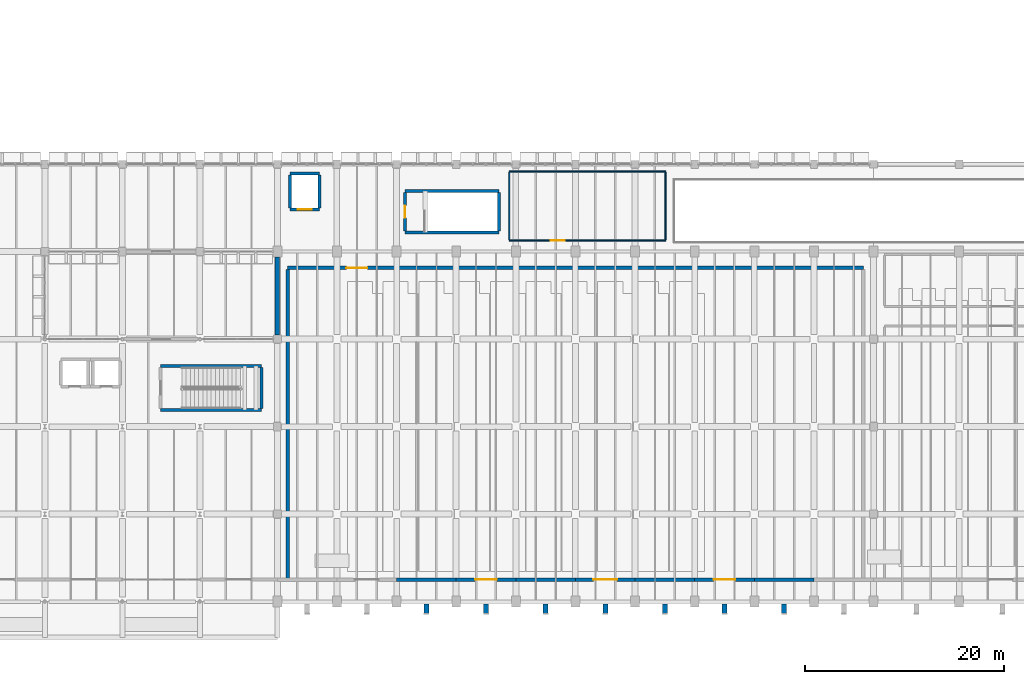
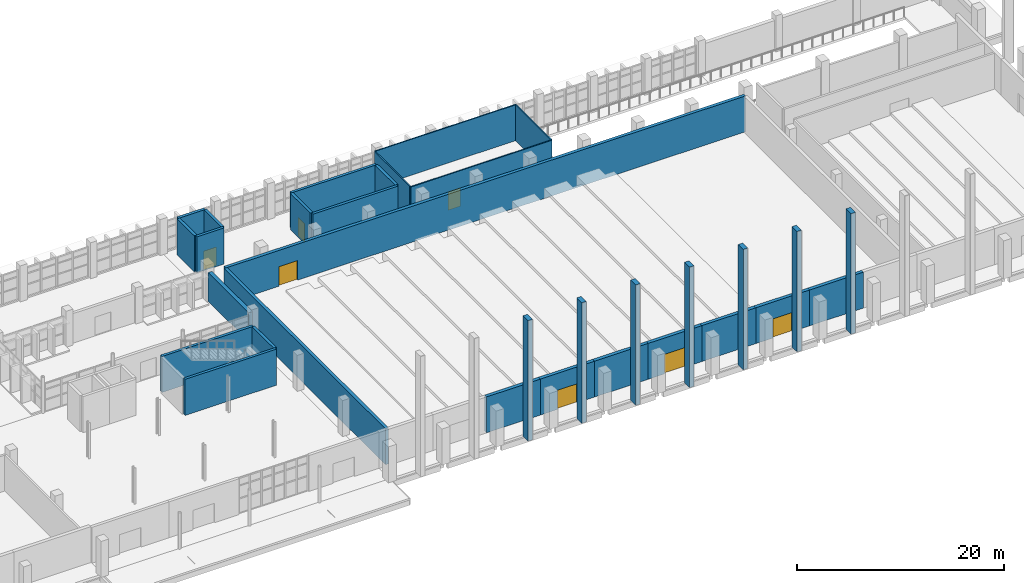
# One storey, part 60 of 76: 32 walls, 7 doors, 7 openings.
"""IFC4 building model written with IfcOpenShell, lengths in metres."""

from ifc_helpers import new_model, si_unit, direction, frame, frame_2d, origin, place, context, subcontext, project, spatial, rectangle, extrude, material, layer, layer_set, type_object, element, fill, save


model = new_model("IFC4")

# Units and contexts
model_context = context("Model", 3, precision=1e-05, world=origin(), true_north=direction((0.0, 1.0)))
body_context = subcontext(model_context, "Body", "Model", "MODEL_VIEW")
ifc_project = project(units=[si_unit("LENGTHUNIT", "METRE"), si_unit("AREAUNIT", "SQUARE_METRE"), si_unit("VOLUMEUNIT", "CUBIC_METRE"), si_unit("PLANEANGLEUNIT", "RADIAN"), si_unit("MASSUNIT", "GRAM", prefix="KILO")], contexts=[model_context])

# Site, building, storey
site_placement = place(None, origin())
site = spatial("IfcSite", under=ifc_project, at=site_placement, CompositionType="ELEMENT")
building_placement = place(site_placement, origin())
building = spatial("IfcBuilding", under=site, at=building_placement, Name="Varnakota Cinema and Media Centre", CompositionType="ELEMENT")
storey_placement = place(building_placement, origin())
storey = spatial("IfcBuildingStorey", under=building, at=storey_placement, Name="L00", CompositionType="ELEMENT", Elevation=0.0)

# Walls
ifc_material_1 = material(Name="Deccan grey granite ashlar", Category="masonry")
ifc_layer_1 = layer(ifc_material_1, 0.5)
ifc_layer_set_1 = layer_set([ifc_layer_1], Name="Deccan grey granite ashlar")
wall_type_1 = type_object("IfcWallType", Name="W-BUTTRESS-500", PredefinedType="SOLIDWALL", material=ifc_layer_set_1)
for number, where, z_axis, x_axis, name in (
    (1, (90.0, -0.22998046875, 0.0), (0.0, 0.0, 1.0), (0.0, -1.0, 0.0), "Hall south monumental Brutalist buttress fin 3"),
    (2, (96.0, -0.22998046875, 0.0), (0.0, 0.0, 1.0), (0.0, -1.0, 0.0), "Hall south monumental Brutalist buttress fin 4"),
    (3, (102.0, -0.22998046875, 0.0), (0.0, 0.0, 1.0), (0.0, -1.0, 0.0), "Hall south monumental Brutalist buttress fin 5"),
    (4, (108.0, -0.22998046875, 0.0), (0.0, 0.0, 1.0), (0.0, -1.0, 0.0), "Hall south monumental Brutalist buttress fin 6"),
    (5, (114.0, -0.22998046875, 0.0), (0.0, 0.0, 1.0), (0.0, -1.0, 0.0), "Hall south monumental Brutalist buttress fin 7"),
    (6, (120.0, -0.22998046875, 0.0), (0.0, 0.0, 1.0), (0.0, -1.0, 0.0), "Hall south monumental Brutalist buttress fin 8"),
    (7, (126.0, -0.22998046875, 0.0), (0.0, 0.0, 1.0), (0.0, -1.0, 0.0), "Hall south monumental Brutalist buttress fin 9"),
):
    element("IfcWall", number, at=place(storey_placement, frame(where, z_axis=z_axis, x_axis=x_axis)), inside=storey, type_object=wall_type_1, Name=name, PredefinedType="SOLIDWALL", context=body_context, shape_type="SweptSolid", body=[
        extrude(rectangle(XDim=0.969970703125, YDim=0.5, at=frame_2d((0.48486328125, 0.0))), origin(), (0.0, 0.0, 1.0), 14.199951171875),
    ])
ifc_material_2 = material(Name="Concrete M40", Category="concrete")
ifc_layer_2 = layer(ifc_material_2, 0.300048828125)
ifc_layer_set_2 = layer_set([ifc_layer_2], Name="Concrete M40")
wall_type_2 = type_object("IfcWallType", Name="W-CORE-300", PredefinedType="SHEAR", material=ifc_layer_set_2)
for number, where, z_axis, x_axis, name in (
    (8, (73.429931640625, 19.25, 0.0), (0.0, 0.0, 1.0), (-1.0, 0.0, 0.0), "L00 CWALL-ST-04-L00 S wall"),
    (9, (63.25, 23.699951171875, 0.0), (0.0, 0.0, 1.0), (1.0, 0.0, 0.0), "L00 CWALL-ST-04-L00 N wall"),
):
    element("IfcWall", number, at=place(storey_placement, frame(where, z_axis=z_axis, x_axis=x_axis)), inside=storey, type_object=wall_type_2, Name=name, PredefinedType="SHEAR", context=body_context, shape_type="SweptSolid", body=[
        extrude(rectangle(XDim=10.179931640625, YDim=0.300048828125, at=frame_2d((5.08984375, 0.0))), origin(), (0.0, 0.0, 1.0), 4.25),
    ])
wall_1_placement = place(storey_placement, frame((73.429931640625, 23.550048828125, 0.0), z_axis=(0.0, 0.0, 1.0), x_axis=(0.0, -1.0, 0.0)))
element("IfcWall", 10, at=wall_1_placement, inside=storey, type_object=wall_type_2, Name="L00 CWALL-ST-04-L00 E wall", PredefinedType="SHEAR", context=body_context, shape_type="SweptSolid", body=[
    extrude(rectangle(XDim=4.150146484375, YDim=0.300048828125, at=frame_2d((2.0751953125, 0.0))), origin(), (0.0, 0.0, 1.0), 4.25),
])
wall_2_placement = place(storey_placement, frame((97.31005859375, 37.14990234375, 0.0), z_axis=(0.0, 0.0, 1.0), x_axis=(-1.0, 0.0, 0.0)))
element("IfcWall", 11, at=wall_2_placement, inside=storey, type_object=wall_type_2, Name="L00 CWALL-ST-B2-L00 S wall", PredefinedType="SHEAR", context=body_context, shape_type="SweptSolid", body=[
    extrude(rectangle(XDim=9.4599609375, YDim=0.300048828125, at=frame_2d((4.72998046875, 0.0))), origin(), (0.0, 0.0, 1.0), 4.25),
])

# Wall, opening, door
wall_3_placement = place(storey_placement, frame((87.85009765625, 37.300048828125, 0.0), z_axis=(0.0, 0.0, 1.0), x_axis=(0.0, 1.0, 0.0)))
wall_3 = element("IfcWall", 12, at=wall_3_placement, inside=storey, type_object=wall_type_2, Name="L00 CWALL-ST-B2-L00 W wall", PredefinedType="SHEAR", context=body_context, shape_type="SweptSolid", body=[
    extrude(rectangle(XDim=3.849853515625, YDim=0.300048828125, at=frame_2d((1.9248046875, 0.0))), origin(), (0.0, 0.0, 1.0), 4.25),
])
opening_1_placement = place(wall_3_placement, frame((1.300048828125, 0.0, 0.0)))
opening_1 = element("IfcOpeningElement", 13, at=opening_1_placement, cuts=wall_3, Name="Opening SD-B2", PredefinedType="OPENING", context=body_context, shape_type="SweptSolid", body=[
    extrude(rectangle(XDim=1.25, YDim=2.14990234375, at=frame_2d((0.625, 1.074951171875))), frame((0.0, 0.14990234375, 0.0), z_axis=(0.0, -1.0, 0.0), x_axis=(1.0, 0.0, 0.0)), (0.0, 0.0, 1.0), 0.300048828125),
])
ifc_material_3 = material(Name="Thermally broken anodised aluminium AW-6063", Category="aluminium")
door_type_1 = type_object("IfcDoorType", Name="DR-STAIR-1250x2150", OperationType="NOTDEFINED", PredefinedType="DOOR", material=ifc_material_3)
door_1_placement = place(opening_1_placement, origin())
door_1 = element("IfcDoor", 14, at=door_1_placement, inside=storey, type_object=door_type_1, Name="L00 door SD-B2", OperationType="SINGLE_SWING_LEFT", OverallHeight=2.14990234375, OverallWidth=1.25, PredefinedType="DOOR", context=body_context, shape_type="SweptSolid", body=[
    extrude(rectangle(XDim=1.25, YDim=2.14990234375, at=frame_2d((0.625, 1.074951171875))), frame((0.0, 0.02490234375, 0.0), z_axis=(0.0, -1.0, 0.0), x_axis=(1.0, 0.0, 0.0)), (0.0, 0.0, 1.0), 0.050048828125),
])
fill(opening_1, door_1)

# Walls
wall_4_placement = place(storey_placement, frame((87.85009765625, 41.300048828125, 0.0), z_axis=(0.0, 0.0, 1.0), x_axis=(1.0, 0.0, 0.0)))
element("IfcWall", 15, at=wall_4_placement, inside=storey, type_object=wall_type_2, Name="L00 CWALL-ST-B2-L00 N wall", PredefinedType="SHEAR", context=body_context, shape_type="SweptSolid", body=[
    extrude(rectangle(XDim=9.4599609375, YDim=0.300048828125, at=frame_2d((4.72998046875, 0.0))), origin(), (0.0, 0.0, 1.0), 4.25),
])
wall_5_placement = place(storey_placement, frame((97.31005859375, 41.14990234375, 0.0), z_axis=(0.0, 0.0, 1.0), x_axis=(0.0, -1.0, 0.0)))
element("IfcWall", 16, at=wall_5_placement, inside=storey, type_object=wall_type_2, Name="L00 CWALL-ST-B2-L00 E wall", PredefinedType="SHEAR", context=body_context, shape_type="SweptSolid", body=[
    extrude(rectangle(XDim=3.849853515625, YDim=0.300048828125, at=frame_2d((1.9248046875, 0.0))), origin(), (0.0, 0.0, 1.0), 4.25),
])

# Wall, opening, door
wall_6_placement = place(storey_placement, frame((79.25, 39.449951171875, 0.0), z_axis=(0.0, 0.0, 1.0), x_axis=(-1.0, 0.0, 0.0)))
wall_6 = element("IfcWall", 17, at=wall_6_placement, inside=storey, type_object=wall_type_2, Name="L00 LSHAFT-LF-08-L00 S wall", PredefinedType="SHEAR", context=body_context, shape_type="SweptSolid", body=[
    extrude(rectangle(XDim=3.0, YDim=0.300048828125, at=frame_2d((1.5, 0.0))), origin(), (0.0, 0.0, 1.0), 4.25),
])
opening_2_placement = place(wall_6_placement, frame((0.800048828125, 0.0, 0.0)))
opening_2 = element("IfcOpeningElement", 18, at=opening_2_placement, cuts=wall_6, Name="Opening LD-08", PredefinedType="OPENING", context=body_context, shape_type="SweptSolid", body=[
    extrude(rectangle(XDim=1.39990234375, YDim=2.199951171875, at=frame_2d((0.699951171875, 1.10009765625))), frame((0.0, 0.14990234375, 0.0), z_axis=(0.0, -1.0, 0.0), x_axis=(1.0, 0.0, 0.0)), (0.0, 0.0, 1.0), 0.300048828125),
])
ifc_material_4 = material(Name="Thermally broken anodised aluminium AW-6063", Category="aluminium")
door_type_2 = type_object("IfcDoorType", Name="DR-LIFT-1400x2200", OperationType="DOUBLE_DOOR_SLIDING", PredefinedType="DOOR", material=ifc_material_4)
door_2_placement = place(opening_2_placement, origin())
door_2 = element("IfcDoor", 19, at=door_2_placement, inside=storey, type_object=door_type_2, Name="L00 door LD-08", OperationType="DOUBLE_DOOR_SLIDING", OverallHeight=2.199951171875, OverallWidth=1.39990234375, PredefinedType="DOOR", context=body_context, shape_type="SweptSolid", body=[
    extrude(rectangle(XDim=1.39990234375, YDim=2.199951171875, at=frame_2d((0.699951171875, 1.10009765625))), frame((0.0, 0.02490234375, 0.0), z_axis=(0.0, -1.0, 0.0), x_axis=(1.0, 0.0, 0.0)), (0.0, 0.0, 1.0), 0.050048828125),
])
fill(opening_2, door_2)

# Walls
wall_7_placement = place(storey_placement, frame((76.25, 39.60009765625, 0.0), z_axis=(0.0, 0.0, 1.0), x_axis=(0.0, 1.0, 0.0)))
element("IfcWall", 20, at=wall_7_placement, inside=storey, type_object=wall_type_2, Name="L00 LSHAFT-LF-08-L00 W wall", PredefinedType="SHEAR", context=body_context, shape_type="SweptSolid", body=[
    extrude(rectangle(XDim=3.2998046875, YDim=0.300048828125, at=frame_2d((1.64990234375, 0.0))), origin(), (0.0, 0.0, 1.0), 4.25),
])
wall_8_placement = place(storey_placement, frame((76.25, 43.050048828125, 0.0), z_axis=(0.0, 0.0, 1.0), x_axis=(1.0, 0.0, 0.0)))
element("IfcWall", 21, at=wall_8_placement, inside=storey, type_object=wall_type_2, Name="L00 LSHAFT-LF-08-L00 N wall", PredefinedType="SHEAR", context=body_context, shape_type="SweptSolid", body=[
    extrude(rectangle(XDim=3.0, YDim=0.300048828125, at=frame_2d((1.5, 0.0))), origin(), (0.0, 0.0, 1.0), 4.25),
])
wall_9_placement = place(storey_placement, frame((79.25, 42.89990234375, 0.0), z_axis=(0.0, 0.0, 1.0), x_axis=(0.0, -1.0, 0.0)))
element("IfcWall", 22, at=wall_9_placement, inside=storey, type_object=wall_type_2, Name="L00 LSHAFT-LF-08-L00 E wall", PredefinedType="SHEAR", context=body_context, shape_type="SweptSolid", body=[
    extrude(rectangle(XDim=3.2998046875, YDim=0.300048828125, at=frame_2d((1.64990234375, 0.0))), origin(), (0.0, 0.0, 1.0), 4.25),
])
ifc_material_5 = material(Name="Deccan grey granite ashlar", Category="masonry")
ifc_layer_3 = layer(ifc_material_5, 0.3798828125)
ifc_layer_set_3 = layer_set([ifc_layer_3], Name="Deccan grey granite ashlar")
wall_type_3 = type_object("IfcWallType", Name="W-EXT-GRAN-380", PredefinedType="SOLIDWALL", material=ifc_layer_set_3)
wall_10_placement = place(storey_placement, frame((129.0, 2.199951171875, 0.0), z_axis=(0.0, 0.0, 1.0), x_axis=(-1.0, 0.0, 0.0)))
element("IfcWall", 23, at=wall_10_placement, inside=storey, type_object=wall_type_3, Name="L00 exterior wall V1-S-2", PredefinedType="SOLIDWALL", context=body_context, shape_type="SweptSolid", body=[
    extrude(rectangle(XDim=6.0, YDim=0.3798828125, at=frame_2d((3.0, 0.0))), origin(), (0.0, 0.0, 1.0), 4.235107421875),
])

# Wall, opening, door
wall_11_placement = place(storey_placement, frame((123.0, 2.199951171875, 0.0), z_axis=(0.0, 0.0, 1.0), x_axis=(-1.0, 0.0, 0.0)))
wall_11 = element("IfcWall", 24, at=wall_11_placement, inside=storey, type_object=wall_type_3, Name="L00 exterior wall V1-S-3", PredefinedType="SOLIDWALL", context=body_context, shape_type="SweptSolid", body=[
    extrude(rectangle(XDim=6.0, YDim=0.3798828125, at=frame_2d((3.0, 0.0))), origin(), (0.0, 0.0, 1.0), 4.235107421875),
])
opening_3_placement = place(wall_11_placement, frame((1.89990234375, 0.0, 0.0)))
opening_3 = element("IfcOpeningElement", 25, at=opening_3_placement, cuts=wall_11, Name="Opening ED-06", PredefinedType="OPENING", context=body_context, shape_type="SweptSolid", body=[
    extrude(rectangle(XDim=2.199951171875, YDim=2.25, at=frame_2d((1.10009765625, 1.125))), frame((0.0, 0.18994140625, 0.0), z_axis=(0.0, -1.0, 0.0), x_axis=(1.0, 0.0, 0.0)), (0.0, 0.0, 1.0), 0.3798828125),
])
ifc_material_6 = material(Name="Anodised golden-bronze aluminium AW-6063", Category="aluminium")
door_type_3 = type_object("IfcDoorType", Name="DR-EXIT-2200x2250", OperationType="DOUBLE_DOOR_SINGLE_SWING", PredefinedType="DOOR", material=ifc_material_6)
door_3_placement = place(opening_3_placement, origin())
door_3 = element("IfcDoor", 26, at=door_3_placement, inside=storey, type_object=door_type_3, Name="L00 door ED-06", OperationType="DOUBLE_DOOR_SINGLE_SWING", OverallHeight=2.25, OverallWidth=2.199951171875, PredefinedType="DOOR", context=body_context, shape_type="SweptSolid", body=[
    extrude(rectangle(XDim=2.199951171875, YDim=2.25, at=frame_2d((1.10009765625, 1.125))), frame((0.0, 0.02490234375, 0.0), z_axis=(0.0, -1.0, 0.0), x_axis=(1.0, 0.0, 0.0)), (0.0, 0.0, 1.0), 0.050048828125),
])
fill(opening_3, door_3)

# Wall
wall_12_placement = place(storey_placement, frame((117.0, 2.199951171875, 0.0), z_axis=(0.0, 0.0, 1.0), x_axis=(-1.0, 0.0, 0.0)))
element("IfcWall", 27, at=wall_12_placement, inside=storey, type_object=wall_type_3, Name="L00 exterior wall V1-S-4", PredefinedType="SOLIDWALL", context=body_context, shape_type="SweptSolid", body=[
    extrude(rectangle(XDim=6.0, YDim=0.3798828125, at=frame_2d((3.0, 0.0))), origin(), (0.0, 0.0, 1.0), 4.235107421875),
])

# Wall, opening, door
wall_13_placement = place(storey_placement, frame((111.0, 2.199951171875, 0.0), z_axis=(0.0, 0.0, 1.0), x_axis=(-1.0, 0.0, 0.0)))
wall_13 = element("IfcWall", 28, at=wall_13_placement, inside=storey, type_object=wall_type_3, Name="L00 exterior wall V1-S-5", PredefinedType="SOLIDWALL", context=body_context, shape_type="SweptSolid", body=[
    extrude(rectangle(XDim=6.0, YDim=0.3798828125, at=frame_2d((3.0, 0.0))), origin(), (0.0, 0.0, 1.0), 4.235107421875),
])
opening_4_placement = place(wall_13_placement, frame((1.800048828125, 0.0, 0.0)))
opening_4 = element("IfcOpeningElement", 29, at=opening_4_placement, cuts=wall_13, Name="Opening ED-14", PredefinedType="OPENING", context=body_context, shape_type="SweptSolid", body=[
    extrude(rectangle(XDim=2.39990234375, YDim=2.300048828125, at=frame_2d((1.199951171875, 1.14990234375))), frame((0.0, 0.18994140625, 0.0), z_axis=(0.0, -1.0, 0.0), x_axis=(1.0, 0.0, 0.0)), (0.0, 0.0, 1.0), 0.3798828125),
])
ifc_material_7 = material(Name="Anodised golden-bronze aluminium AW-6063", Category="aluminium")
door_type_4 = type_object("IfcDoorType", Name="DR-EXIT-2400x2300", OperationType="DOUBLE_DOOR_SINGLE_SWING", PredefinedType="DOOR", material=ifc_material_7)
door_4_placement = place(opening_4_placement, origin())
door_4 = element("IfcDoor", 30, at=door_4_placement, inside=storey, type_object=door_type_4, Name="L00 door ED-14", OperationType="DOUBLE_DOOR_SINGLE_SWING", OverallHeight=2.300048828125, OverallWidth=2.39990234375, PredefinedType="DOOR", context=body_context, shape_type="SweptSolid", body=[
    extrude(rectangle(XDim=2.39990234375, YDim=2.300048828125, at=frame_2d((1.199951171875, 1.14990234375))), frame((0.0, 0.02490234375, 0.0), z_axis=(0.0, -1.0, 0.0), x_axis=(1.0, 0.0, 0.0)), (0.0, 0.0, 1.0), 0.050048828125),
])
fill(opening_4, door_4)

# Wall
wall_14_placement = place(storey_placement, frame((105.0, 2.199951171875, 0.0), z_axis=(0.0, 0.0, 1.0), x_axis=(-1.0, 0.0, 0.0)))
element("IfcWall", 31, at=wall_14_placement, inside=storey, type_object=wall_type_3, Name="L00 exterior wall V1-S-6", PredefinedType="SOLIDWALL", context=body_context, shape_type="SweptSolid", body=[
    extrude(rectangle(XDim=6.0, YDim=0.3798828125, at=frame_2d((3.0, 0.0))), origin(), (0.0, 0.0, 1.0), 4.235107421875),
])

# Wall, opening, door
wall_15_placement = place(storey_placement, frame((99.0, 2.199951171875, 0.0), z_axis=(0.0, 0.0, 1.0), x_axis=(-1.0, 0.0, 0.0)))
wall_15 = element("IfcWall", 32, at=wall_15_placement, inside=storey, type_object=wall_type_3, Name="L00 exterior wall V1-S-7", PredefinedType="SOLIDWALL", context=body_context, shape_type="SweptSolid", body=[
    extrude(rectangle(XDim=6.0, YDim=0.3798828125, at=frame_2d((3.0, 0.0))), origin(), (0.0, 0.0, 1.0), 4.235107421875),
])
opening_5_placement = place(wall_15_placement, frame((1.89990234375, 0.0, 0.0)))
opening_5 = element("IfcOpeningElement", 33, at=opening_5_placement, cuts=wall_15, Name="Opening ED-05", PredefinedType="OPENING", context=body_context, shape_type="SweptSolid", body=[
    extrude(rectangle(XDim=2.199951171875, YDim=2.25, at=frame_2d((1.10009765625, 1.125))), frame((0.0, 0.18994140625, 0.0), z_axis=(0.0, -1.0, 0.0), x_axis=(1.0, 0.0, 0.0)), (0.0, 0.0, 1.0), 0.3798828125),
])
door_5_placement = place(opening_5_placement, origin())
door_5 = element("IfcDoor", 34, at=door_5_placement, inside=storey, type_object=door_type_3, Name="L00 door ED-05", OperationType="DOUBLE_DOOR_SINGLE_SWING", OverallHeight=2.25, OverallWidth=2.199951171875, PredefinedType="DOOR", context=body_context, shape_type="SweptSolid", body=[
    extrude(rectangle(XDim=2.199951171875, YDim=2.25, at=frame_2d((1.10009765625, 1.125))), frame((0.0, 0.02490234375, 0.0), z_axis=(0.0, -1.0, 0.0), x_axis=(1.0, 0.0, 0.0)), (0.0, 0.0, 1.0), 0.050048828125),
])
fill(opening_5, door_5)

# Walls
wall_16_placement = place(storey_placement, frame((93.0, 2.199951171875, 0.0), z_axis=(0.0, 0.0, 1.0), x_axis=(-1.0, 0.0, 0.0)))
element("IfcWall", 35, at=wall_16_placement, inside=storey, type_object=wall_type_3, Name="L00 exterior wall V1-S-8", PredefinedType="SOLIDWALL", context=body_context, shape_type="SweptSolid", body=[
    extrude(rectangle(XDim=6.0, YDim=0.3798828125, at=frame_2d((3.0, 0.0))), origin(), (0.0, 0.0, 1.0), 4.235107421875),
])
ifc_material_8 = material(Name="Deccan grey granite ashlar", Category="masonry")
ifc_layer_4 = layer(ifc_material_8, 0.43994140625)
ifc_layer_set_4 = layer_set([ifc_layer_4], Name="Deccan grey granite ashlar")
wall_type_4 = type_object("IfcWallType", Name="W-EXT-HALL-440", PredefinedType="SOLIDWALL", material=ifc_layer_set_4)
wall_17_placement = place(storey_placement, frame((75.0, 34.64990234375, 0.0), z_axis=(0.0, 0.0, 1.0), x_axis=(0.0, -1.0, 0.0)))
element("IfcWall", 36, at=wall_17_placement, inside=storey, type_object=wall_type_4, Name="L00 exterior wall V1-CHW-1", PredefinedType="SOLIDWALL", context=body_context, shape_type="SweptSolid", body=[
    extrude(rectangle(XDim=7.849853515625, YDim=0.43994140625, at=frame_2d((3.9248046875, 0.0))), origin(), (0.0, 0.0, 1.0), 3.385009765625),
])

# Wall, opening, door
ifc_material_9 = material(Name="Autoclaved aerated concrete blockwork", Category="masonry")
ifc_layer_5 = layer(ifc_material_9, 0.1298828125)
ifc_layer_set_5 = layer_set([ifc_layer_5], Name="Autoclaved aerated concrete blockwork")
wall_type_5 = type_object("IfcWallType", Name="W-PART-130", PredefinedType="PARTITIONING", material=ifc_layer_set_5)
wall_18_placement = place(storey_placement, frame((114.06494140625, 36.3349609375, 0.0), z_axis=(0.0, 0.0, 1.0), x_axis=(-1.0, 0.0, 0.0)))
wall_18 = element("IfcWall", 37, at=wall_18_placement, inside=storey, type_object=wall_type_5, Name="L00 RWALL-RM-L00-VIP S wall", PredefinedType="PARTITIONING", context=body_context, shape_type="SweptSolid", body=[
    extrude(rectangle(XDim=15.72998046875, YDim=0.1298828125, at=frame_2d((7.864990234375, 0.0))), origin(), (0.0, 0.0, 1.0), 4.22998046875),
])
opening_6_placement = place(wall_18_placement, frame((10.1650390625, 0.0, 0.0)))
opening_6 = element("IfcOpeningElement", 38, at=opening_6_placement, cuts=wall_18, Name="Opening D-050", PredefinedType="OPENING", context=body_context, shape_type="SweptSolid", body=[
    extrude(rectangle(XDim=1.39990234375, YDim=2.14990234375, at=frame_2d((0.699951171875, 1.074951171875))), frame((0.0, 0.06494140625, 0.0), z_axis=(0.0, -1.0, 0.0), x_axis=(1.0, 0.0, 0.0)), (0.0, 0.0, 1.0), 0.1298828125),
])
ifc_material_10 = material(Name="Thermally broken anodised aluminium AW-6063", Category="aluminium")
door_type_5 = type_object("IfcDoorType", Name="DR-STD-1400x2150", OperationType="DOUBLE_DOOR_SINGLE_SWING", PredefinedType="DOOR", material=ifc_material_10)
door_6_placement = place(opening_6_placement, origin())
door_6 = element("IfcDoor", 39, at=door_6_placement, inside=storey, type_object=door_type_5, Name="L00 door D-050", OperationType="DOUBLE_DOOR_SINGLE_SWING", OverallHeight=2.14990234375, OverallWidth=1.39990234375, PredefinedType="DOOR", context=body_context, shape_type="SweptSolid", body=[
    extrude(rectangle(XDim=1.39990234375, YDim=2.14990234375, at=frame_2d((0.699951171875, 1.074951171875))), frame((0.0, 0.02490234375, 0.0), z_axis=(0.0, -1.0, 0.0), x_axis=(1.0, 0.0, 0.0)), (0.0, 0.0, 1.0), 0.050048828125),
])
fill(opening_6, door_6)

# Walls
wall_19_placement = place(storey_placement, frame((98.3349609375, 36.39990234375, 0.0), z_axis=(0.0, 0.0, 1.0), x_axis=(0.0, 1.0, 0.0)))
element("IfcWall", 40, at=wall_19_placement, inside=storey, type_object=wall_type_5, Name="L00 RWALL-RM-L00-VIP W wall", PredefinedType="PARTITIONING", context=body_context, shape_type="SweptSolid", body=[
    extrude(rectangle(XDim=6.800048828125, YDim=0.1298828125, at=frame_2d((3.39990234375, 0.0))), origin(), (0.0, 0.0, 1.0), 4.22998046875),
])
wall_20_placement = place(storey_placement, frame((98.3349609375, 43.264892578125, 0.0), z_axis=(0.0, 0.0, 1.0), x_axis=(1.0, 0.0, 0.0)))
element("IfcWall", 41, at=wall_20_placement, inside=storey, type_object=wall_type_5, Name="L00 RWALL-RM-L00-VIP N wall", PredefinedType="PARTITIONING", context=body_context, shape_type="SweptSolid", body=[
    extrude(rectangle(XDim=15.72998046875, YDim=0.1298828125, at=frame_2d((7.864990234375, 0.0))), origin(), (0.0, 0.0, 1.0), 4.22998046875),
])
wall_21_placement = place(storey_placement, frame((114.06494140625, 43.199951171875, 0.0), z_axis=(0.0, 0.0, 1.0), x_axis=(0.0, -1.0, 0.0)))
element("IfcWall", 42, at=wall_21_placement, inside=storey, type_object=wall_type_5, Name="L00 RWALL-RM-L00-VIP E wall", PredefinedType="PARTITIONING", context=body_context, shape_type="SweptSolid", body=[
    extrude(rectangle(XDim=6.800048828125, YDim=0.1298828125, at=frame_2d((3.39990234375, 0.0))), origin(), (0.0, 0.0, 1.0), 4.22998046875),
])
ifc_material_11 = material(Name="Concrete M40", Category="concrete")
ifc_layer_6 = layer(ifc_material_11, 0.35009765625)
ifc_layer_set_6 = layer_set([ifc_layer_6], Name="Concrete M40")
wall_type_6 = type_object("IfcWallType", Name="W-SEP-350", PredefinedType="SOLIDWALL", material=ifc_layer_set_6)
wall_22_placement = place(storey_placement, frame((76.02490234375, 2.25, 0.0), z_axis=(0.0, 0.0, 1.0), x_axis=(0.0, 1.0, 0.0)))
element("IfcWall", 43, at=wall_22_placement, inside=storey, type_object=wall_type_6, Name="L00 RWALL-RM-L00-CINE1 W wall", PredefinedType="SOLIDWALL", context=body_context, shape_type="SweptSolid", body=[
    extrude(rectangle(XDim=31.14990234375, YDim=0.35009765625, at=frame_2d((15.574951171875, 0.0))), origin(), (0.0, 0.0, 1.0), 4.22998046875),
])

# Wall, opening, door
wall_23_placement = place(storey_placement, frame((76.02490234375, 33.574951171875, 0.0), z_axis=(0.0, 0.0, 1.0), x_axis=(1.0, 0.0, 0.0)))
wall_23 = element("IfcWall", 44, at=wall_23_placement, inside=storey, type_object=wall_type_6, Name="L00 RWALL-RM-L00-CINE1 N wall", PredefinedType="SOLIDWALL", context=body_context, shape_type="SweptSolid", body=[
    extrude(rectangle(XDim=57.9501953125, YDim=0.35009765625, at=frame_2d((28.97509765625, 0.0))), origin(), (0.0, 0.0, 1.0), 4.22998046875),
])
opening_7_placement = place(wall_23_placement, frame((5.925048828125, 0.0, 0.0)))
opening_7 = element("IfcOpeningElement", 45, at=opening_7_placement, cuts=wall_23, Name="Opening D-049", PredefinedType="OPENING", context=body_context, shape_type="SweptSolid", body=[
    extrude(rectangle(XDim=2.10009765625, YDim=2.300048828125, at=frame_2d((1.050048828125, 1.14990234375))), frame((0.0, 0.175048828125, 0.0), z_axis=(0.0, -1.0, 0.0), x_axis=(1.0, 0.0, 0.0)), (0.0, 0.0, 1.0), 0.35009765625),
])
ifc_material_12 = material(Name="Thermally broken anodised aluminium AW-6063", Category="aluminium")
door_type_6 = type_object("IfcDoorType", Name="DR-AUD-2100x2300", OperationType="DOUBLE_DOOR_SINGLE_SWING", PredefinedType="DOOR", material=ifc_material_12)
door_7_placement = place(opening_7_placement, origin())
door_7 = element("IfcDoor", 46, at=door_7_placement, inside=storey, type_object=door_type_6, Name="L00 door D-049", OperationType="DOUBLE_DOOR_SINGLE_SWING", OverallHeight=2.300048828125, OverallWidth=2.10009765625, PredefinedType="DOOR", context=body_context, shape_type="SweptSolid", body=[
    extrude(rectangle(XDim=2.10009765625, YDim=2.300048828125, at=frame_2d((1.050048828125, 1.14990234375))), frame((0.0, 0.02490234375, 0.0), z_axis=(0.0, -1.0, 0.0), x_axis=(1.0, 0.0, 0.0)), (0.0, 0.0, 1.0), 0.050048828125),
])
fill(opening_7, door_7)

save(model, "model.ifc")
